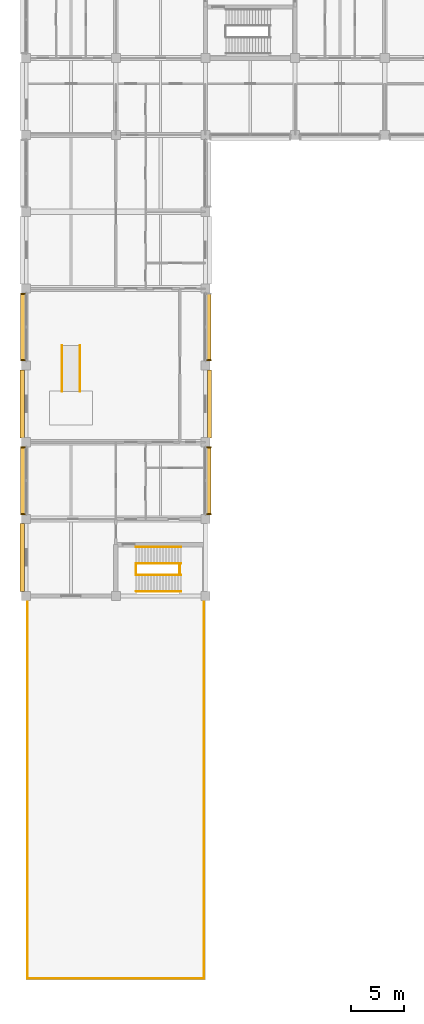
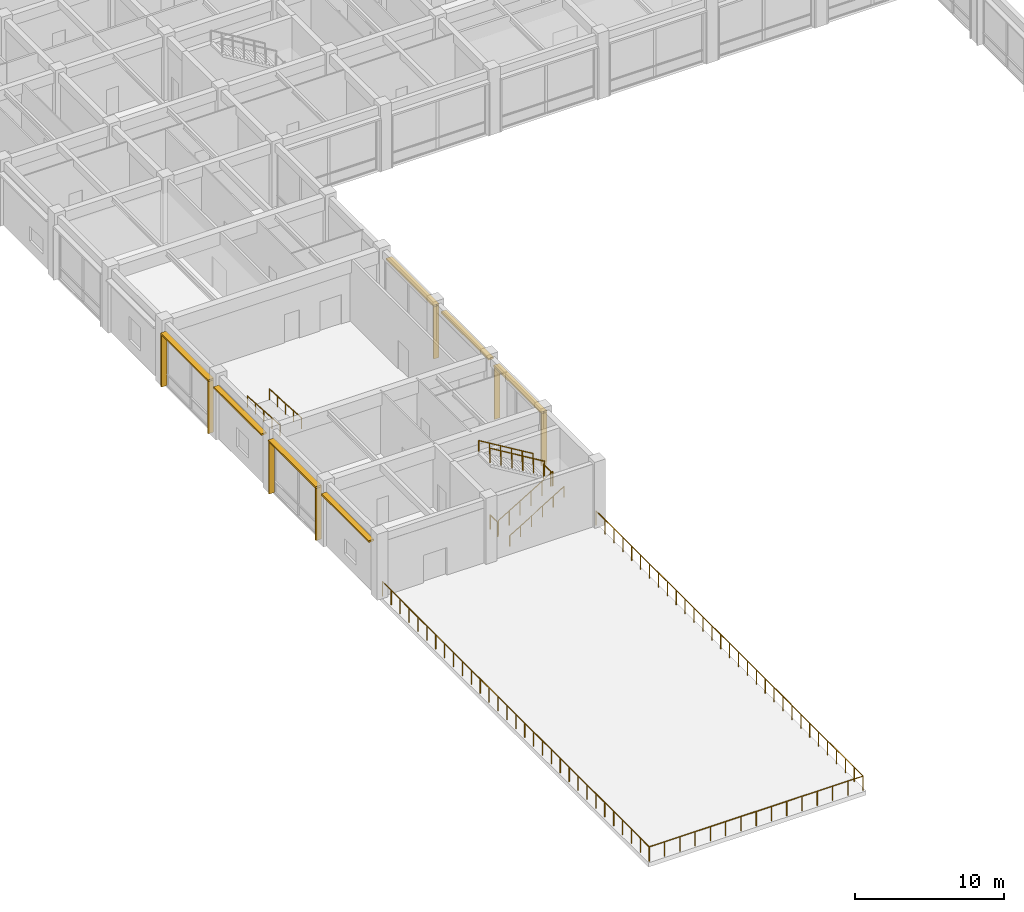
# One storey, part 45 of 51: 14 shading devices, 11 railings.
"""IFC4 building model written with IfcOpenShell, lengths in metres."""

from ifc_helpers import new_model, si_unit, direction, frame, origin, origin_2d, place, context, subcontext, project, spatial, rectangle, circle, extrude, material, type_object, element, save


model = new_model("IFC4")

# Units and contexts
model_context = context("Model", 3, precision=1e-05, world=origin(), true_north=direction((0.0, 1.0)))
body_context = subcontext(model_context, "Body", "Model", "MODEL_VIEW")
ifc_project = project(units=[si_unit("LENGTHUNIT", "METRE"), si_unit("AREAUNIT", "SQUARE_METRE"), si_unit("VOLUMEUNIT", "CUBIC_METRE"), si_unit("PLANEANGLEUNIT", "RADIAN"), si_unit("MASSUNIT", "GRAM", prefix="KILO")], contexts=[model_context])

# Site, building, storey
site_placement = place(None, origin())
site = spatial("IfcSite", under=ifc_project, at=site_placement, CompositionType="ELEMENT")
building_placement = place(site_placement, origin())
building = spatial("IfcBuilding", under=site, at=building_placement, Name="Chengyuan Square Courthouse", CompositionType="ELEMENT")
storey_placement = place(building_placement, frame((0.0, 0.0, 10.800048828125)))
storey = spatial("IfcBuildingStorey", under=building, at=storey_placement, Name="L03", CompositionType="ELEMENT", Elevation=10.800048828125)

# Railings
ifc_material_1 = material(Name="Stainless Steel S30408 and Laminated Glass Balustrade", Category="steel")
railing_type_1 = type_object("IfcRailingType", Name="RL-01", PredefinedType="BALUSTRADE", material=ifc_material_1)
railing_1_placement = place(storey_placement, frame((16.659912109375, 35.860107421875, 0.0)))
element("IfcRailing", 1, at=railing_1_placement, inside=storey, type_object=railing_type_1, Name="Terrace Safety Balustrade RL-TER-001", PredefinedType="BALUSTRADE", context=body_context, shape_type="SweptSolid", body=[
    extrude(circle(Radius=0.02392578125, at=origin_2d()), frame((0.0, 0.0, 1.17578125), z_axis=(0.0, -1.0, 0.0), x_axis=(1.0, 0.0, 0.0)), (0.0, 0.0, 1.0), 35.72021484375),
    extrude(circle(Radius=0.02099609375, at=origin_2d()), origin(), (0.0, 0.0, 1.0), 1.15185546875),
    extrude(circle(Radius=0.02099609375, at=origin_2d()), frame((0.0, -1.190673828125, 0.0)), (0.0, 0.0, 1.0), 1.15185546875),
    extrude(circle(Radius=0.02099609375, at=origin_2d()), frame((0.0, -2.38134765625, 0.0)), (0.0, 0.0, 1.0), 1.15185546875),
    extrude(circle(Radius=0.02099609375, at=origin_2d()), frame((0.0, -3.572021484375, 0.0)), (0.0, 0.0, 1.0), 1.15185546875),
    extrude(circle(Radius=0.02099609375, at=origin_2d()), frame((0.0, -4.7626953125, 0.0)), (0.0, 0.0, 1.0), 1.15185546875),
    extrude(circle(Radius=0.02099609375, at=origin_2d()), frame((0.0, -5.953369140625, 0.0)), (0.0, 0.0, 1.0), 1.15185546875),
    extrude(circle(Radius=0.02099609375, at=origin_2d()), frame((0.0, -7.14404296875, 0.0)), (0.0, 0.0, 1.0), 1.15185546875),
    extrude(circle(Radius=0.02099609375, at=origin_2d()), frame((0.0, -8.334716796875, 0.0)), (0.0, 0.0, 1.0), 1.15185546875),
    extrude(circle(Radius=0.02099609375, at=origin_2d()), frame((0.0, -9.525390625, 0.0)), (0.0, 0.0, 1.0), 1.15185546875),
    extrude(circle(Radius=0.02099609375, at=origin_2d()), frame((0.0, -10.716064453125, 0.0)), (0.0, 0.0, 1.0), 1.15185546875),
    extrude(circle(Radius=0.02099609375, at=origin_2d()), frame((0.0, -11.90673828125, 0.0)), (0.0, 0.0, 1.0), 1.15185546875),
    extrude(circle(Radius=0.02099609375, at=origin_2d()), frame((0.0, -13.097412109375, 0.0)), (0.0, 0.0, 1.0), 1.15185546875),
    extrude(circle(Radius=0.02099609375, at=origin_2d()), frame((0.0, -14.2880859375, 0.0)), (0.0, 0.0, 1.0), 1.15185546875),
    extrude(circle(Radius=0.02099609375, at=origin_2d()), frame((0.0, -15.478759765625, 0.0)), (0.0, 0.0, 1.0), 1.15185546875),
    extrude(circle(Radius=0.02099609375, at=origin_2d()), frame((0.0, -16.66943359375, 0.0)), (0.0, 0.0, 1.0), 1.15185546875),
    extrude(circle(Radius=0.02099609375, at=origin_2d()), frame((0.0, -17.860107421875, 0.0)), (0.0, 0.0, 1.0), 1.15185546875),
    extrude(circle(Radius=0.02099609375, at=origin_2d()), frame((0.0, -19.05078125, 0.0)), (0.0, 0.0, 1.0), 1.15185546875),
    extrude(circle(Radius=0.02099609375, at=origin_2d()), frame((0.0, -20.241455078125, 0.0)), (0.0, 0.0, 1.0), 1.15185546875),
    extrude(circle(Radius=0.02099609375, at=origin_2d()), frame((0.0, -21.43212890625, 0.0)), (0.0, 0.0, 1.0), 1.15185546875),
    extrude(circle(Radius=0.02099609375, at=origin_2d()), frame((0.0, -22.622802734375, 0.0)), (0.0, 0.0, 1.0), 1.15185546875),
    extrude(circle(Radius=0.02099609375, at=origin_2d()), frame((0.0, -23.8134765625, 0.0)), (0.0, 0.0, 1.0), 1.15185546875),
    extrude(circle(Radius=0.02099609375, at=origin_2d()), frame((0.0, -25.004150390625, 0.0)), (0.0, 0.0, 1.0), 1.15185546875),
    extrude(circle(Radius=0.02099609375, at=origin_2d()), frame((0.0, -26.19482421875, 0.0)), (0.0, 0.0, 1.0), 1.15185546875),
    extrude(circle(Radius=0.02099609375, at=origin_2d()), frame((0.0, -27.385498046875, 0.0)), (0.0, 0.0, 1.0), 1.15185546875),
    extrude(circle(Radius=0.02099609375, at=origin_2d()), frame((0.0, -28.576171875, 0.0)), (0.0, 0.0, 1.0), 1.15185546875),
    extrude(circle(Radius=0.02099609375, at=origin_2d()), frame((0.0, -29.766845703125, 0.0)), (0.0, 0.0, 1.0), 1.15185546875),
    extrude(circle(Radius=0.02099609375, at=origin_2d()), frame((0.0, -30.95751953125, 0.0)), (0.0, 0.0, 1.0), 1.15185546875),
    extrude(circle(Radius=0.02099609375, at=origin_2d()), frame((0.0, -32.148193359375, 0.0)), (0.0, 0.0, 1.0), 1.15185546875),
    extrude(circle(Radius=0.02099609375, at=origin_2d()), frame((0.0, -33.3388671875, 0.0)), (0.0, 0.0, 1.0), 1.15185546875),
    extrude(circle(Radius=0.02099609375, at=origin_2d()), frame((0.0, -34.529541015625, 0.0)), (0.0, 0.0, 1.0), 1.15185546875),
    extrude(circle(Radius=0.02099609375, at=origin_2d()), frame((0.0, -35.72021484375, 0.0)), (0.0, 0.0, 1.0), 1.15185546875),
])
railing_2_placement = place(storey_placement, frame((16.659912109375, 0.139892578125, 0.0)))
element("IfcRailing", 2, at=railing_2_placement, inside=storey, type_object=railing_type_1, Name="Terrace Safety Balustrade RL-TER-002", PredefinedType="BALUSTRADE", context=body_context, shape_type="SweptSolid", body=[
    extrude(circle(Radius=0.02392578125, at=origin_2d()), frame((0.0, 0.0, 1.17578125), z_axis=(-1.0, 0.0, 0.0), x_axis=(0.0, -1.0, 0.0)), (0.0, 0.0, 1.0), 16.52001953125),
    extrude(circle(Radius=0.02099609375, at=origin_2d()), origin(), (0.0, 0.0, 1.0), 1.15185546875),
    extrude(circle(Radius=0.02099609375, at=origin_2d()), frame((-1.179931640625, 0.0, 0.0)), (0.0, 0.0, 1.0), 1.15185546875),
    extrude(circle(Radius=0.02099609375, at=origin_2d()), frame((-2.360107421875, 0.0, 0.0)), (0.0, 0.0, 1.0), 1.15185546875),
    extrude(circle(Radius=0.02099609375, at=origin_2d()), frame((-3.5400390625, 0.0, 0.0)), (0.0, 0.0, 1.0), 1.15185546875),
    extrude(circle(Radius=0.02099609375, at=origin_2d()), frame((-4.719970703125, 0.0, 0.0)), (0.0, 0.0, 1.0), 1.15185546875),
    extrude(circle(Radius=0.02099609375, at=origin_2d()), frame((-5.89990234375, 0.0, 0.0)), (0.0, 0.0, 1.0), 1.15185546875),
    extrude(circle(Radius=0.02099609375, at=origin_2d()), frame((-7.080078125, 0.0, 0.0)), (0.0, 0.0, 1.0), 1.15185546875),
    extrude(circle(Radius=0.02099609375, at=origin_2d()), frame((-8.260009765625, 0.0, 0.0)), (0.0, 0.0, 1.0), 1.15185546875),
    extrude(circle(Radius=0.02099609375, at=origin_2d()), frame((-9.43994140625, 0.0, 0.0)), (0.0, 0.0, 1.0), 1.15185546875),
    extrude(circle(Radius=0.02099609375, at=origin_2d()), frame((-10.6201171875, 0.0, 0.0)), (0.0, 0.0, 1.0), 1.15185546875),
    extrude(circle(Radius=0.02099609375, at=origin_2d()), frame((-11.800048828125, 0.0, 0.0)), (0.0, 0.0, 1.0), 1.15185546875),
    extrude(circle(Radius=0.02099609375, at=origin_2d()), frame((-12.97998046875, 0.0, 0.0)), (0.0, 0.0, 1.0), 1.15185546875),
    extrude(circle(Radius=0.02099609375, at=origin_2d()), frame((-14.159912109375, 0.0, 0.0)), (0.0, 0.0, 1.0), 1.15185546875),
    extrude(circle(Radius=0.02099609375, at=origin_2d()), frame((-15.340087890625, 0.0, 0.0)), (0.0, 0.0, 1.0), 1.15185546875),
    extrude(circle(Radius=0.02099609375, at=origin_2d()), frame((-16.52001953125, 0.0, 0.0)), (0.0, 0.0, 1.0), 1.15185546875),
])
railing_3_placement = place(storey_placement, frame((0.139892578125, 0.139892578125, 0.0)))
element("IfcRailing", 3, at=railing_3_placement, inside=storey, type_object=railing_type_1, Name="Terrace Safety Balustrade RL-TER-003", PredefinedType="BALUSTRADE", context=body_context, shape_type="SweptSolid", body=[
    extrude(circle(Radius=0.02392578125, at=origin_2d()), frame((0.0, 0.0, 1.17578125), z_axis=(0.0, 1.0, 0.0), x_axis=(-1.0, 0.0, 0.0)), (0.0, 0.0, 1.0), 35.72021484375),
    extrude(circle(Radius=0.02099609375, at=origin_2d()), origin(), (0.0, 0.0, 1.0), 1.15185546875),
    extrude(circle(Radius=0.02099609375, at=origin_2d()), frame((0.0, 1.190673828125, 0.0)), (0.0, 0.0, 1.0), 1.15185546875),
    extrude(circle(Radius=0.02099609375, at=origin_2d()), frame((0.0, 2.38134765625, 0.0)), (0.0, 0.0, 1.0), 1.15185546875),
    extrude(circle(Radius=0.02099609375, at=origin_2d()), frame((0.0, 3.572021484375, 0.0)), (0.0, 0.0, 1.0), 1.15185546875),
    extrude(circle(Radius=0.02099609375, at=origin_2d()), frame((0.0, 4.7626953125, 0.0)), (0.0, 0.0, 1.0), 1.15185546875),
    extrude(circle(Radius=0.02099609375, at=origin_2d()), frame((0.0, 5.953369140625, 0.0)), (0.0, 0.0, 1.0), 1.15185546875),
    extrude(circle(Radius=0.02099609375, at=origin_2d()), frame((0.0, 7.14404296875, 0.0)), (0.0, 0.0, 1.0), 1.15185546875),
    extrude(circle(Radius=0.02099609375, at=origin_2d()), frame((0.0, 8.334716796875, 0.0)), (0.0, 0.0, 1.0), 1.15185546875),
    extrude(circle(Radius=0.02099609375, at=origin_2d()), frame((0.0, 9.525390625, 0.0)), (0.0, 0.0, 1.0), 1.15185546875),
    extrude(circle(Radius=0.02099609375, at=origin_2d()), frame((0.0, 10.716064453125, 0.0)), (0.0, 0.0, 1.0), 1.15185546875),
    extrude(circle(Radius=0.02099609375, at=origin_2d()), frame((0.0, 11.90673828125, 0.0)), (0.0, 0.0, 1.0), 1.15185546875),
    extrude(circle(Radius=0.02099609375, at=origin_2d()), frame((0.0, 13.097412109375, 0.0)), (0.0, 0.0, 1.0), 1.15185546875),
    extrude(circle(Radius=0.02099609375, at=origin_2d()), frame((0.0, 14.2880859375, 0.0)), (0.0, 0.0, 1.0), 1.15185546875),
    extrude(circle(Radius=0.02099609375, at=origin_2d()), frame((0.0, 15.478759765625, 0.0)), (0.0, 0.0, 1.0), 1.15185546875),
    extrude(circle(Radius=0.02099609375, at=origin_2d()), frame((0.0, 16.66943359375, 0.0)), (0.0, 0.0, 1.0), 1.15185546875),
    extrude(circle(Radius=0.02099609375, at=origin_2d()), frame((0.0, 17.860107421875, 0.0)), (0.0, 0.0, 1.0), 1.15185546875),
    extrude(circle(Radius=0.02099609375, at=origin_2d()), frame((0.0, 19.05078125, 0.0)), (0.0, 0.0, 1.0), 1.15185546875),
    extrude(circle(Radius=0.02099609375, at=origin_2d()), frame((0.0, 20.241455078125, 0.0)), (0.0, 0.0, 1.0), 1.15185546875),
    extrude(circle(Radius=0.02099609375, at=origin_2d()), frame((0.0, 21.43212890625, 0.0)), (0.0, 0.0, 1.0), 1.15185546875),
    extrude(circle(Radius=0.02099609375, at=origin_2d()), frame((0.0, 22.622802734375, 0.0)), (0.0, 0.0, 1.0), 1.15185546875),
    extrude(circle(Radius=0.02099609375, at=origin_2d()), frame((0.0, 23.8134765625, 0.0)), (0.0, 0.0, 1.0), 1.15185546875),
    extrude(circle(Radius=0.02099609375, at=origin_2d()), frame((0.0, 25.004150390625, 0.0)), (0.0, 0.0, 1.0), 1.15185546875),
    extrude(circle(Radius=0.02099609375, at=origin_2d()), frame((0.0, 26.19482421875, 0.0)), (0.0, 0.0, 1.0), 1.15185546875),
    extrude(circle(Radius=0.02099609375, at=origin_2d()), frame((0.0, 27.385498046875, 0.0)), (0.0, 0.0, 1.0), 1.15185546875),
    extrude(circle(Radius=0.02099609375, at=origin_2d()), frame((0.0, 28.576171875, 0.0)), (0.0, 0.0, 1.0), 1.15185546875),
    extrude(circle(Radius=0.02099609375, at=origin_2d()), frame((0.0, 29.766845703125, 0.0)), (0.0, 0.0, 1.0), 1.15185546875),
    extrude(circle(Radius=0.02099609375, at=origin_2d()), frame((0.0, 30.95751953125, 0.0)), (0.0, 0.0, 1.0), 1.15185546875),
    extrude(circle(Radius=0.02099609375, at=origin_2d()), frame((0.0, 32.148193359375, 0.0)), (0.0, 0.0, 1.0), 1.15185546875),
    extrude(circle(Radius=0.02099609375, at=origin_2d()), frame((0.0, 33.3388671875, 0.0)), (0.0, 0.0, 1.0), 1.15185546875),
    extrude(circle(Radius=0.02099609375, at=origin_2d()), frame((0.0, 34.529541015625, 0.0)), (0.0, 0.0, 1.0), 1.15185546875),
    extrude(circle(Radius=0.02099609375, at=origin_2d()), frame((0.0, 35.72021484375, 0.0)), (0.0, 0.0, 1.0), 1.15185546875),
])
ifc_material_2 = material(Name="Tempered Glass and Timber Top-Rail Balustrade", Category="wood")
railing_type_2 = type_object("IfcRailingType", Name="RL-02", PredefinedType="BALUSTRADE", material=ifc_material_2)
for number, where, name in (
    (4, (10.2900390625, 38.0, 0.0), "Stair Floor Slot Guard ST-7 L03"),
    (5, (14.389892578125, 38.0, 2.699951171875), "Stair Landing Guard ST-7-L03"),
):
    element("IfcRailing", number, at=place(storey_placement, frame(where)), inside=storey, type_object=railing_type_2, Name=name, PredefinedType="BALUSTRADE", context=body_context, shape_type="SweptSolid", body=[
        extrude(circle(Radius=0.02392578125, at=origin_2d()), frame((0.0, 0.0, 1.17578125), z_axis=(0.0, 1.0, 0.0), x_axis=(-1.0, 0.0, 0.0)), (0.0, 0.0, 1.0), 1.0),
        extrude(circle(Radius=0.02099609375, at=origin_2d()), origin(), (0.0, 0.0, 1.0), 1.15185546875),
        extrude(circle(Radius=0.02099609375, at=origin_2d()), frame((0.0, 1.0, 0.0)), (0.0, 0.0, 1.0), 1.15185546875),
    ])
railing_4_placement = place(storey_placement, frame((10.31005859375, 37.949951171875, 0.168701171875)))
element("IfcRailing", 6, at=railing_4_placement, inside=storey, type_object=railing_type_2, Name="Stair Flight 1 Guard ST-7-L03", PredefinedType="BALUSTRADE", context=body_context, shape_type="SweptSolid", body=[
    extrude(circle(Radius=0.02392578125, at=origin_2d()), frame((0.0, 0.0, 1.17578125), z_axis=(0.856476492594, 0.0, 0.516186030065), x_axis=(0.0, 1.0, 0.0)), (0.0, 0.0, 1.0), 4.90380859375),
    extrude(circle(Radius=0.02099609375, at=origin_2d()), origin(), (0.0, 0.0, 1.0), 1.15185546875),
    extrude(circle(Radius=0.02099609375, at=origin_2d()), frame((0.840087890625, 0.0, 0.50634765625)), (0.0, 0.0, 1.0), 1.15185546875),
    extrude(circle(Radius=0.02099609375, at=origin_2d()), frame((1.679931640625, 0.0, 1.012451171875)), (0.0, 0.0, 1.0), 1.15185546875),
    extrude(circle(Radius=0.02099609375, at=origin_2d()), frame((2.52001953125, 0.0, 1.518798828125)), (0.0, 0.0, 1.0), 1.15185546875),
    extrude(circle(Radius=0.02099609375, at=origin_2d()), frame((3.35986328125, 0.0, 2.02490234375)), (0.0, 0.0, 1.0), 1.15185546875),
    extrude(circle(Radius=0.02099609375, at=origin_2d()), frame((4.199951171875, 0.0, 2.53125)), (0.0, 0.0, 1.0), 1.15185546875),
])
railing_5_placement = place(storey_placement, frame((14.510009765625, 39.050048828125, 2.86865234375)))
element("IfcRailing", 7, at=railing_5_placement, inside=storey, type_object=railing_type_2, Name="Stair Flight 2 Guard ST-7-L03", PredefinedType="BALUSTRADE", context=body_context, shape_type="SweptSolid", body=[
    extrude(circle(Radius=0.02392578125, at=origin_2d()), frame((0.0, 0.0, 1.17578125), z_axis=(-0.856476492594, 0.0, 0.516186030065), x_axis=(0.0, -1.0, 0.0)), (0.0, 0.0, 1.0), 4.90380859375),
    extrude(circle(Radius=0.02099609375, at=origin_2d()), origin(), (0.0, 0.0, 1.0), 1.15185546875),
    extrude(circle(Radius=0.02099609375, at=origin_2d()), frame((-0.840087890625, 0.0, 0.50634765625)), (0.0, 0.0, 1.0), 1.15185546875),
    extrude(circle(Radius=0.02099609375, at=origin_2d()), frame((-1.679931640625, 0.0, 1.012451171875)), (0.0, 0.0, 1.0), 1.15185546875),
    extrude(circle(Radius=0.02099609375, at=origin_2d()), frame((-2.52001953125, 0.0, 1.518798828125)), (0.0, 0.0, 1.0), 1.15185546875),
    extrude(circle(Radius=0.02099609375, at=origin_2d()), frame((-3.35986328125, 0.0, 2.02490234375)), (0.0, 0.0, 1.0), 1.15185546875),
    extrude(circle(Radius=0.02099609375, at=origin_2d()), frame((-4.199951171875, 0.0, 2.53125)), (0.0, 0.0, 1.0), 1.15185546875),
])
ifc_material_3 = material(Name="Stainless Steel S30408 Tubular Handrail", Category="steel")
railing_type_3 = type_object("IfcRailingType", Name="RL-03", PredefinedType="HANDRAIL", material=ifc_material_3)
for number, where, name in (
    (8, (3.360107421875, 59.469970703125, 0.0), "Accessible Bench Ramp Handrail 1.1"),
    (9, (5.0400390625, 59.469970703125, 0.0), "Accessible Bench Ramp Handrail 1.2"),
):
    element("IfcRailing", number, at=place(storey_placement, frame(where)), inside=storey, type_object=railing_type_3, Name=name, PredefinedType="HANDRAIL", context=body_context, shape_type="SweptSolid", body=[
        extrude(circle(Radius=0.02392578125, at=origin_2d()), frame((0.0, 0.0, 0.8759765625), z_axis=(0.0, -0.99805235901, 0.06238179763), x_axis=(1.0, 0.0, 0.0)), (0.0, 0.0, 1.0), 4.32861328125),
        extrude(circle(Radius=0.02099609375, at=origin_2d()), origin(), (0.0, 0.0, 1.0), 0.851806640625),
        extrude(circle(Radius=0.02099609375, at=origin_2d()), frame((0.0, -1.080078125, 0.0673828125)), (0.0, 0.0, 1.0), 0.851806640625),
        extrude(circle(Radius=0.02099609375, at=origin_2d()), frame((0.0, -2.16015625, 0.135009765625)), (0.0, 0.0, 1.0), 0.851806640625),
        extrude(circle(Radius=0.02099609375, at=origin_2d()), frame((0.0, -3.239990234375, 0.20263671875)), (0.0, 0.0, 1.0), 0.851806640625),
        extrude(circle(Radius=0.02099609375, at=origin_2d()), frame((0.0, -4.320068359375, 0.27001953125)), (0.0, 0.0, 1.0), 0.851806640625),
    ])
ifc_material_4 = material(Name="Stainless Steel S30408 Stair Handrail", Category="steel")
railing_type_4 = type_object("IfcRailingType", Name="RL-04", PredefinedType="HANDRAIL", material=ifc_material_4)
railing_6_placement = place(storey_placement, frame((10.31005859375, 36.419921875, 0.168701171875)))
element("IfcRailing", 10, at=railing_6_placement, inside=storey, type_object=railing_type_4, Name="Stair Flight 1 Handrail ST-7-L03", PredefinedType="HANDRAIL", context=body_context, shape_type="SweptSolid", body=[
    extrude(circle(Radius=0.02392578125, at=origin_2d()), frame((0.0, 0.0, 0.8759765625), z_axis=(0.856476492594, 0.0, 0.516186030065), x_axis=(0.0, 1.0, 0.0)), (0.0, 0.0, 1.0), 4.90380859375),
    extrude(circle(Radius=0.02099609375, at=origin_2d()), origin(), (0.0, 0.0, 1.0), 0.851806640625),
    extrude(circle(Radius=0.02099609375, at=origin_2d()), frame((0.840087890625, 0.0, 0.50634765625)), (0.0, 0.0, 1.0), 0.851806640625),
    extrude(circle(Radius=0.02099609375, at=origin_2d()), frame((1.679931640625, 0.0, 1.012451171875)), (0.0, 0.0, 1.0), 0.851806640625),
    extrude(circle(Radius=0.02099609375, at=origin_2d()), frame((2.52001953125, 0.0, 1.518798828125)), (0.0, 0.0, 1.0), 0.851806640625),
    extrude(circle(Radius=0.02099609375, at=origin_2d()), frame((3.35986328125, 0.0, 2.02490234375)), (0.0, 0.0, 1.0), 0.851806640625),
    extrude(circle(Radius=0.02099609375, at=origin_2d()), frame((4.199951171875, 0.0, 2.53125)), (0.0, 0.0, 1.0), 0.851806640625),
])
railing_7_placement = place(storey_placement, frame((14.510009765625, 40.580078125, 2.86865234375)))
element("IfcRailing", 11, at=railing_7_placement, inside=storey, type_object=railing_type_4, Name="Stair Flight 2 Handrail ST-7-L03", PredefinedType="HANDRAIL", context=body_context, shape_type="SweptSolid", body=[
    extrude(circle(Radius=0.02392578125, at=origin_2d()), frame((0.0, 0.0, 0.8759765625), z_axis=(-0.856476492594, 0.0, 0.516186030065), x_axis=(0.0, -1.0, 0.0)), (0.0, 0.0, 1.0), 4.90380859375),
    extrude(circle(Radius=0.02099609375, at=origin_2d()), origin(), (0.0, 0.0, 1.0), 0.851806640625),
    extrude(circle(Radius=0.02099609375, at=origin_2d()), frame((-0.840087890625, 0.0, 0.50634765625)), (0.0, 0.0, 1.0), 0.851806640625),
    extrude(circle(Radius=0.02099609375, at=origin_2d()), frame((-1.679931640625, 0.0, 1.012451171875)), (0.0, 0.0, 1.0), 0.851806640625),
    extrude(circle(Radius=0.02099609375, at=origin_2d()), frame((-2.52001953125, 0.0, 1.518798828125)), (0.0, 0.0, 1.0), 0.851806640625),
    extrude(circle(Radius=0.02099609375, at=origin_2d()), frame((-3.35986328125, 0.0, 2.02490234375)), (0.0, 0.0, 1.0), 0.851806640625),
    extrude(circle(Radius=0.02099609375, at=origin_2d()), frame((-4.199951171875, 0.0, 2.53125)), (0.0, 0.0, 1.0), 0.851806640625),
])

# Shading devices
ifc_material_5 = material(Name="Glulam TCt28 Solar Shading Fin", Category="wood")
shading_device_type_1 = type_object("IfcShadingDeviceType", Name="SHD-01", PredefinedType="JALOUSIE", material=ifc_material_5)
for number, where, z_axis, x_axis, name in (
    (12, (-0.31201171875, 43.6650390625, 0.0400390625), (0.0, 0.0, 1.0), (1.0, 0.0, 0.0), "Glulam Solar Fin SHD-L03-0292"),
    (13, (-0.31201171875, 49.93505859375, 0.0400390625), (0.0, 0.0, 1.0), (1.0, 0.0, 0.0), "Glulam Solar Fin SHD-L03-0293"),
    (14, (-0.31201171875, 58.06494140625, 0.0400390625), (0.0, 0.0, 1.0), (1.0, 0.0, 0.0), "Glulam Solar Fin SHD-L03-0296"),
    (15, (-0.31201171875, 64.3349609375, 0.0400390625), (0.0, 0.0, 1.0), (1.0, 0.0, 0.0), "Glulam Solar Fin SHD-L03-0297"),
    (16, (17.112060546875, 43.6650390625, 0.0400390625), (0.0, 0.0, 1.0), (1.0, 0.0, 0.0), "Glulam Solar Fin SHD-L03-0309"),
    (17, (17.112060546875, 49.93505859375, 0.0400390625), (0.0, 0.0, 1.0), (1.0, 0.0, 0.0), "Glulam Solar Fin SHD-L03-0310"),
    (18, (17.112060546875, 58.06494140625, 0.0400390625), (0.0, 0.0, 1.0), (1.0, 0.0, 0.0), "Glulam Solar Fin SHD-L03-0313"),
):
    element("IfcShadingDevice", number, at=place(storey_placement, frame(where, z_axis=z_axis, x_axis=x_axis)), inside=storey, type_object=shading_device_type_1, Name=name, PredefinedType="JALOUSIE", context=body_context, shape_type="SweptSolid", body=[
        extrude(rectangle(XDim=0.419921875, YDim=0.094970703125, at=origin_2d()), origin(), (0.0, 0.0, 1.0), 4.260009765625),
    ])
ifc_material_6 = material(Name="Glulam TCt28 Sunshade Louvre", Category="wood")
shading_device_type_2 = type_object("IfcShadingDeviceType", Name="SHD-02", PredefinedType="AWNING", material=ifc_material_6)
for number, where, z_axis, x_axis, name in (
    (19, (-0.31201171875, 46.800048828125, 4.2998046875), (0.0, 0.0, 1.0), (0.0, 1.0, 0.0), "Glulam Sunshade Louvre SHD-L03-0294"),
    (20, (-0.31201171875, 61.199951171875, 4.2998046875), (0.0, 0.0, 1.0), (0.0, 1.0, 0.0), "Glulam Sunshade Louvre SHD-L03-0298"),
    (21, (17.112060546875, 46.800048828125, 4.2998046875), (0.0, 0.0, 1.0), (0.0, 1.0, 0.0), "Glulam Sunshade Louvre SHD-L03-0311"),
    (22, (17.112060546875, 61.199951171875, 4.2998046875), (0.0, 0.0, 1.0), (0.0, 1.0, 0.0), "Glulam Sunshade Louvre SHD-L03-0315"),
):
    element("IfcShadingDevice", number, at=place(storey_placement, frame(where, z_axis=z_axis, x_axis=x_axis)), inside=storey, type_object=shading_device_type_2, Name=name, PredefinedType="AWNING", context=body_context, shape_type="SweptSolid", body=[
        extrude(rectangle(XDim=6.35009765625, YDim=0.43994140625, at=origin_2d()), origin(), (0.0, 0.0, 1.0), 0.139892578125),
    ])
ifc_material_7 = material(Name="Glulam TCt28 Facade Sunshade", Category="wood")
shading_device_type_3 = type_object("IfcShadingDeviceType", Name="SHD-03", PredefinedType="AWNING", material=ifc_material_7)
for number, where, z_axis, x_axis, name in (
    (23, (-0.382080078125, 39.60009765625, 4.27978515625), (0.0, 0.0, 1.0), (0.0, 1.0, 0.0), "Glulam Facade Sunshade SHD-L03-0291"),
    (24, (-0.382080078125, 54.0, 4.27978515625), (0.0, 0.0, 1.0), (0.0, 1.0, 0.0), "Glulam Facade Sunshade SHD-L03-0295"),
    (25, (17.181884765625, 54.0, 4.27978515625), (0.0, 0.0, 1.0), (0.0, 1.0, 0.0), "Glulam Facade Sunshade SHD-L03-0312"),
):
    element("IfcShadingDevice", number, at=place(storey_placement, frame(where, z_axis=z_axis, x_axis=x_axis)), inside=storey, type_object=shading_device_type_3, Name=name, PredefinedType="AWNING", context=body_context, shape_type="SweptSolid", body=[
        extrude(rectangle(XDim=6.360107421875, YDim=0.39990234375, at=origin_2d()), origin(), (0.0, 0.0, 1.0), 0.139892578125),
    ])

save(model, "model.ifc")
